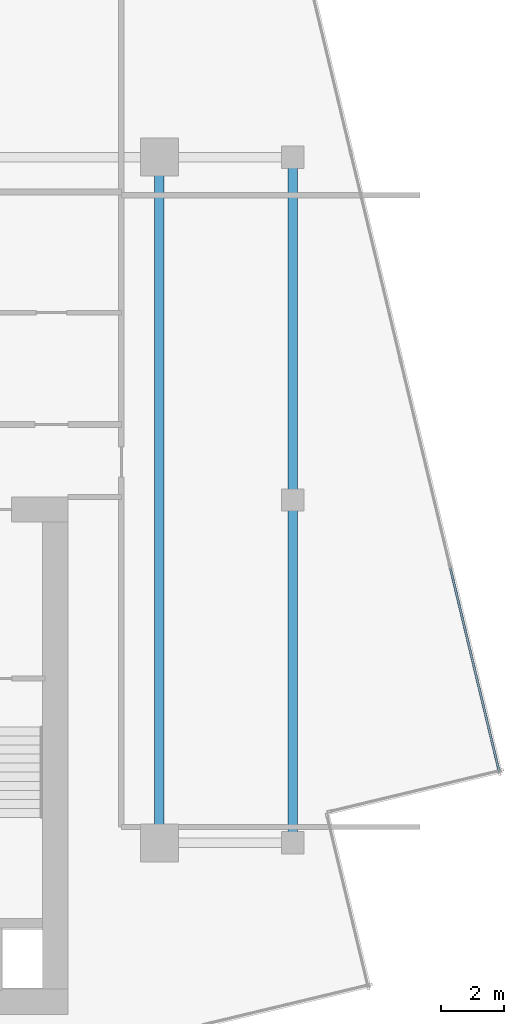
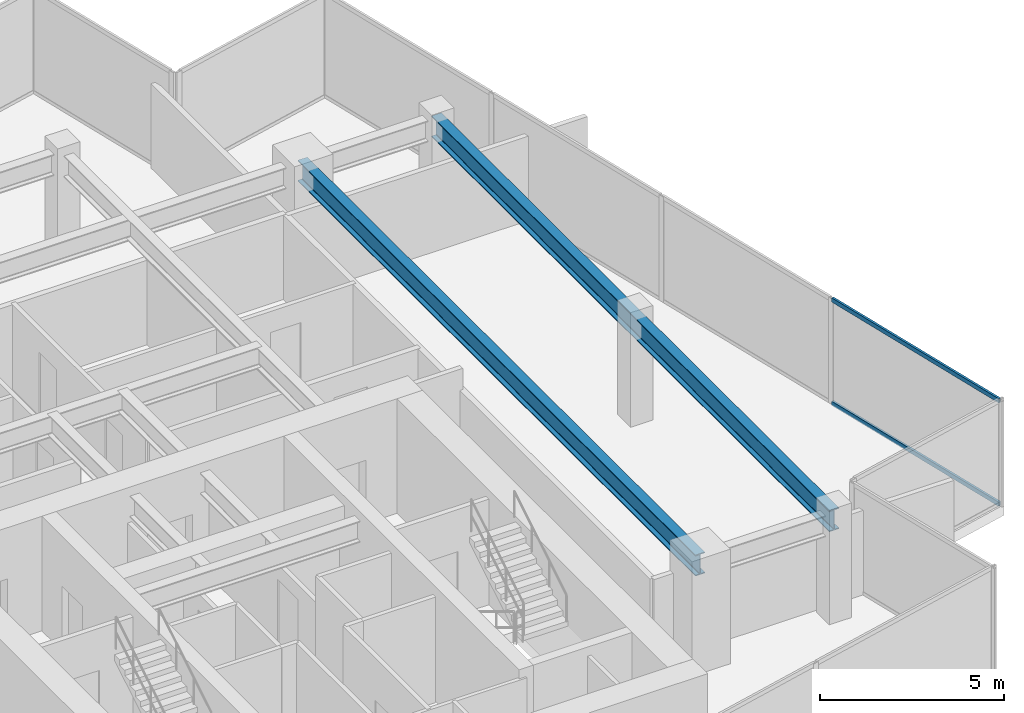
# One storey, part 10 of 19: 2 beams, 2 members, 1 element without a shape of its own.
"""IFC4 building model written with IfcOpenShell, lengths in metres."""

from ifc_helpers import new_model, si_unit, direction, frame, origin, origin_2d, place, context, subcontext, project, spatial, hollow_rectangle, i_section, extrude, source, transform, mapped, material, material_profile, profile_set, type_object, type_shapes, element, aggregate, save


model = new_model("IFC4")

# Units and contexts
model_context = context("Model", 3, precision=1e-05, world=origin(), true_north=direction((0.0, 1.0)))
body_context = subcontext(model_context, "Body", "Model", "MODEL_VIEW")
ifc_project = project(units=[si_unit("LENGTHUNIT", "METRE"), si_unit("AREAUNIT", "SQUARE_METRE"), si_unit("VOLUMEUNIT", "CUBIC_METRE"), si_unit("PLANEANGLEUNIT", "RADIAN"), si_unit("MASSUNIT", "GRAM", prefix="KILO")], contexts=[model_context])

# Site, building, storey
site_placement = place(None, origin())
site = spatial("IfcSite", under=ifc_project, at=site_placement, CompositionType="ELEMENT")
building_placement = place(site_placement, origin())
building = spatial("IfcBuilding", under=site, at=building_placement, Name="Krantzveldt Concourse Tower", CompositionType="ELEMENT")
storey_placement = place(building_placement, frame((0.0, 0.0, 363.25)))
storey = spatial("IfcBuildingStorey", under=building, at=storey_placement, Name="L89", CompositionType="ELEMENT", Elevation=363.25)

# Beams
ifc_material_1 = material(Name="Steel S355J2", Category="steel")
ifc_material_profile_1 = material_profile(ifc_material_1, i_section(OverallWidth=0.300048828125, OverallDepth=0.699951171875, WebThickness=0.01708984375, FlangeThickness=0.031982421875, FilletRadius=0.027099609375, at=origin_2d()), Name="Steel S355J2", Category="steel")
ifc_profile_set_1 = profile_set([ifc_material_profile_1], Name="Steel S355J2 - HEB 700")
beam_type = type_object("IfcBeamType", Name="BM-B-HEB700", PredefinedType="BEAM", material=ifc_profile_set_1)
shared_shape_1 = source(origin(), body_context, "Body", "SweptSolid", [
    extrude(i_section(OverallWidth=0.300048828125, OverallDepth=0.699951171875, WebThickness=0.01708984375, FlangeThickness=0.031982421875, FilletRadius=0.027099609375, at=origin_2d()), origin(), (0.0, 0.0, 1.0), 21.60009765625),
])
type_shapes(beam_type, [shared_shape_1])
for number, where, z_axis, x_axis, name in (
    (1, (46.800048828125, 15.89990234375, 3.14990234375), (0.0, 1.0, 0.0), (-1.0, 0.0, 0.0), "L89 Crown Girder CBG-89-ME"),
    (2, (51.0, 15.89990234375, 3.14990234375), (0.0, 1.0, 0.0), (-1.0, 0.0, 0.0), "L89 Crown Girder CBG-89-RE1"),
):
    element("IfcBeam", number, at=place(storey_placement, frame(where, z_axis=z_axis, x_axis=x_axis)), inside=storey, type_object=beam_type, Name=name, PredefinedType="BEAM", context=body_context, shape_type="MappedRepresentation", body=[
        mapped(shared_shape_1, transform((0.0, 0.0, 0.0), x_axis=(1.0, 0.0, 0.0), y_axis=(0.0, 1.0, 0.0), z_axis=(0.0, 0.0, 1.0), scale=1.0)),
    ])

# Curtain wall, members
ifc_material_2 = material(Name="Anodised aluminium 6063-T6", Category="aluminium")
curtain_wall_type = type_object("IfcCurtainWallType", Name="CW7", PredefinedType="USERDEFINED", material=ifc_material_2)
curtain_wall_placement = place(storey_placement, origin())
curtain_wall = element("IfcCurtainWall", 3, at=curtain_wall_placement, inside=storey, type_object=curtain_wall_type, Name="CW-L89-BASE-10", ObjectType="UNITISED CURTAIN WALL", PredefinedType="USERDEFINED")
ifc_material_profile_2 = material_profile(ifc_material_2, hollow_rectangle(XDim=0.070068359375, YDim=0.139892578125, WallThickness=0.0048828125, at=origin_2d()), Name="Anodised aluminium 6063-T6", Category="aluminium")
ifc_profile_set_2 = profile_set([ifc_material_profile_2], Name="Anodised aluminium 6063-T6 - ALU-TRAN 140x70x5")
member_type = type_object("IfcMemberType", Name="CW-TRN-150", PredefinedType="USERDEFINED", material=ifc_profile_set_2)
shared_shape_2 = source(origin(), body_context, "Body", "SweptSolid", [
    extrude(hollow_rectangle(XDim=0.070068359375, YDim=0.139892578125, WallThickness=0.0048828125, at=origin_2d()), origin(), (0.0, 0.0, 1.0), 6.5947265625),
])
type_shapes(member_type, [shared_shape_2])
member_1_placement = place(storey_placement, frame((57.499267578125, 18.15283203125, 0.034912109375), z_axis=(-0.233448560082, 0.972369153046, 0.0), x_axis=(-0.972369153046, -0.233448560082, 0.0)))
member_1 = element("IfcMember", 4, at=member_1_placement, type_object=member_type, Name="CW-CRN transom 1.1", ObjectType="TRANSOM", PredefinedType="USERDEFINED", context=body_context, shape_type="MappedRepresentation", body=[
    mapped(shared_shape_2, transform((0.0, 0.0, 0.0), x_axis=(1.0, 0.0, 0.0), y_axis=(0.0, 1.0, 0.0), z_axis=(0.0, 0.0, 1.0), scale=1.0)),
])
member_2_placement = place(storey_placement, frame((57.499267578125, 18.15283203125, 3.465087890625), z_axis=(-0.233448560082, 0.972369153046, 0.0), x_axis=(-0.972369153046, -0.233448560082, 0.0)))
member_2 = element("IfcMember", 5, at=member_2_placement, type_object=member_type, Name="CW-CRN transom 1.2", ObjectType="TRANSOM", PredefinedType="USERDEFINED", context=body_context, shape_type="MappedRepresentation", body=[
    mapped(shared_shape_2, transform((0.0, 0.0, 0.0), x_axis=(1.0, 0.0, 0.0), y_axis=(0.0, 1.0, 0.0), z_axis=(0.0, 0.0, 1.0), scale=1.0)),
])
aggregate(curtain_wall, [member_1, member_2])

save(model, "model.ifc")
